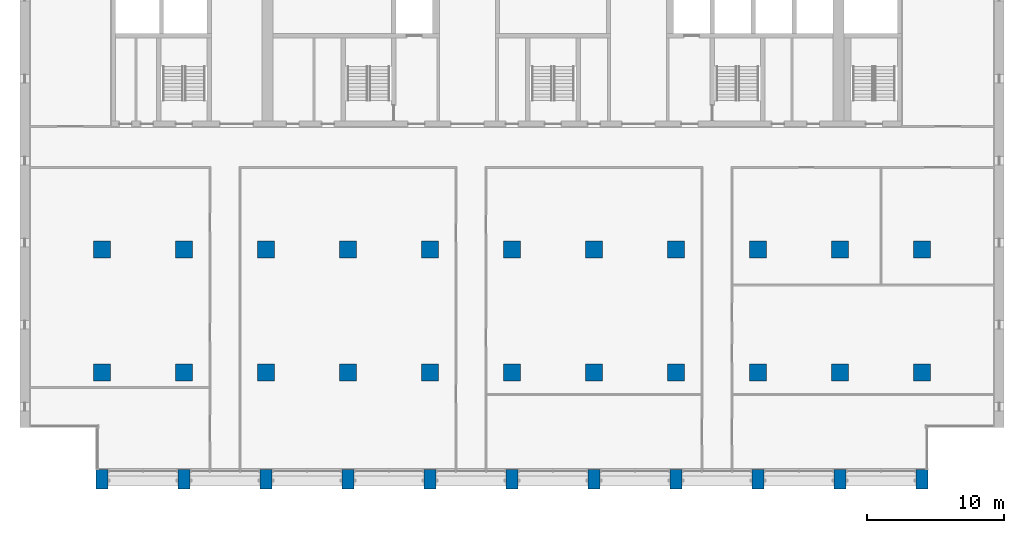
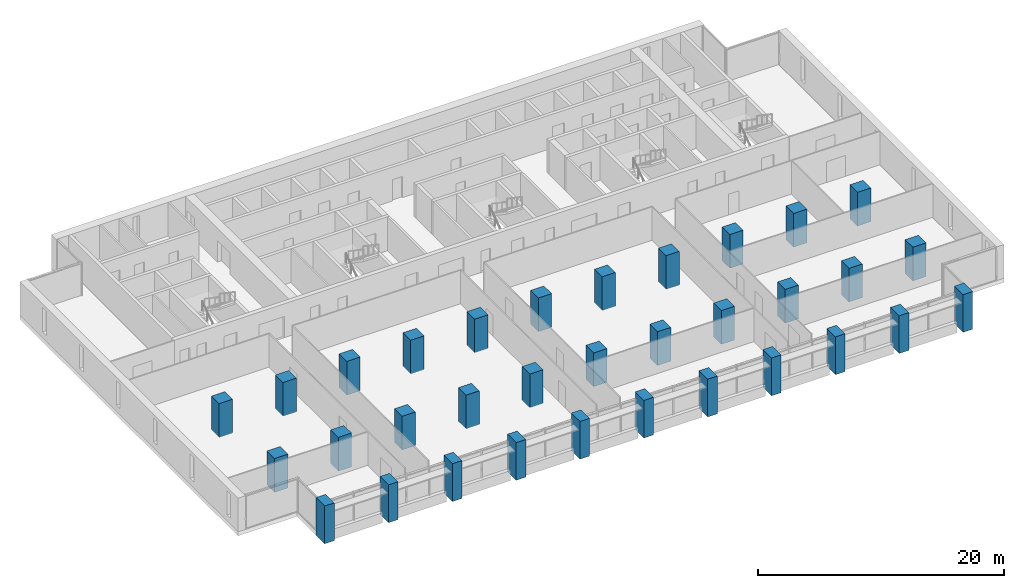
# One storey, part 1 of 16: 33 columns.
"""IFC4 building model written with IfcOpenShell, lengths in metres."""

from ifc_helpers import new_model, si_unit, direction, frame, origin, origin_2d, place, context, subcontext, project, spatial, rectangle, extrude, material, material_profile, profile_set, type_object, element, save


model = new_model("IFC4")

# Units and contexts
model_context = context("Model", 3, precision=1e-05, world=origin(), true_north=direction((0.0, 1.0)))
body_context = subcontext(model_context, "Body", "Model", "MODEL_VIEW")
ifc_project = project(units=[si_unit("LENGTHUNIT", "METRE"), si_unit("AREAUNIT", "SQUARE_METRE"), si_unit("VOLUMEUNIT", "CUBIC_METRE"), si_unit("PLANEANGLEUNIT", "RADIAN"), si_unit("MASSUNIT", "GRAM", prefix="KILO")], contexts=[model_context])

# Site, building, storey
site_placement = place(None, origin())
site = spatial("IfcSite", under=ifc_project, at=site_placement, CompositionType="ELEMENT")
building_placement = place(site_placement, origin())
building = spatial("IfcBuilding", under=site, at=building_placement, Name="Calvaro Tower", CompositionType="ELEMENT")
storey_placement = place(building_placement, frame((0.0, 0.0, 136.25)))
storey = spatial("IfcBuildingStorey", under=building, at=storey_placement, Name="L34", CompositionType="ELEMENT", Elevation=136.25)

# Columns
ifc_material_1 = material(Name="Concrete C60/75", Category="concrete")
ifc_material_profile_1 = material_profile(ifc_material_1, rectangle(XDim=1.25, YDim=1.25, at=origin_2d()), Name="RC 1250x1250")
ifc_profile_set_1 = profile_set([ifc_material_profile_1], Name="Concrete C60/75")
column_type_1 = type_object("IfcColumnType", Name="Column 1250x1250 C60/75", PredefinedType="COLUMN", material=ifc_profile_set_1)
for number, where, z_axis, x_axis, name in (
    (1, (6.0, 10.0, 0.0), (0.0, 0.0, 1.0), (1.0, 0.0, 0.0), "Column 2B"),
    (2, (6.0, 19.0, 0.0), (0.0, 0.0, 1.0), (1.0, 0.0, 0.0), "Column 2C"),
    (3, (12.0, 10.0, 0.0), (0.0, 0.0, 1.0), (1.0, 0.0, 0.0), "Column 3B"),
    (4, (12.0, 19.0, 0.0), (0.0, 0.0, 1.0), (1.0, 0.0, 0.0), "Column 3C"),
    (5, (18.0, 10.0, 0.0), (0.0, 0.0, 1.0), (1.0, 0.0, 0.0), "Column 4B"),
    (6, (18.0, 19.0, 0.0), (0.0, 0.0, 1.0), (1.0, 0.0, 0.0), "Column 4C"),
    (7, (24.0, 10.0, 0.0), (0.0, 0.0, 1.0), (1.0, 0.0, 0.0), "Column 5B"),
    (8, (24.0, 19.0, 0.0), (0.0, 0.0, 1.0), (1.0, 0.0, 0.0), "Column 5C"),
    (9, (30.0, 10.0, 0.0), (0.0, 0.0, 1.0), (1.0, 0.0, 0.0), "Column 6B"),
    (10, (30.0, 19.0, 0.0), (0.0, 0.0, 1.0), (1.0, 0.0, 0.0), "Column 6C"),
    (11, (36.0, 10.0, 0.0), (0.0, 0.0, 1.0), (1.0, 0.0, 0.0), "Column 7B"),
    (12, (36.0, 19.0, 0.0), (0.0, 0.0, 1.0), (1.0, 0.0, 0.0), "Column 7C"),
    (13, (42.0, 10.0, 0.0), (0.0, 0.0, 1.0), (1.0, 0.0, 0.0), "Column 8B"),
    (14, (42.0, 19.0, 0.0), (0.0, 0.0, 1.0), (1.0, 0.0, 0.0), "Column 8C"),
    (15, (48.0, 10.0, 0.0), (0.0, 0.0, 1.0), (1.0, 0.0, 0.0), "Column 9B"),
    (16, (48.0, 19.0, 0.0), (0.0, 0.0, 1.0), (1.0, 0.0, 0.0), "Column 9C"),
    (17, (54.0, 10.0, 0.0), (0.0, 0.0, 1.0), (1.0, 0.0, 0.0), "Column 10B"),
    (18, (54.0, 19.0, 0.0), (0.0, 0.0, 1.0), (1.0, 0.0, 0.0), "Column 10C"),
    (19, (60.0, 10.0, 0.0), (0.0, 0.0, 1.0), (1.0, 0.0, 0.0), "Column 11B"),
    (20, (60.0, 19.0, 0.0), (0.0, 0.0, 1.0), (1.0, 0.0, 0.0), "Column 11C"),
    (21, (66.0, 10.0, 0.0), (0.0, 0.0, 1.0), (1.0, 0.0, 0.0), "Column 12B"),
    (22, (66.0, 19.0, 0.0), (0.0, 0.0, 1.0), (1.0, 0.0, 0.0), "Column 12C"),
):
    element("IfcColumn", number, at=place(storey_placement, frame(where, z_axis=z_axis, x_axis=x_axis)), inside=storey, type_object=column_type_1, Name=name, PredefinedType="COLUMN", context=body_context, shape_type="SweptSolid", body=[
        extrude(rectangle(XDim=1.25, YDim=1.25, at=origin_2d()), origin(), (0.0, 0.0, 1.0), 3.35009765625),
    ])
ifc_material_2 = material(Name="Concrete C60/75", Category="concrete")
ifc_material_profile_2 = material_profile(ifc_material_2, rectangle(XDim=0.89990234375, YDim=1.39990234375, at=origin_2d()), Name="RC 900x1400")
ifc_profile_set_2 = profile_set([ifc_material_profile_2], Name="Concrete C60/75")
column_type_2 = type_object("IfcColumnType", Name="Pier 900x1400 C60/75", PredefinedType="COLUMN", material=ifc_profile_set_2)
for number, where, z_axis, x_axis, name in (
    (23, (6.0, 2.199951171875, -0.39990234375), (0.0, 0.0, 1.0), (1.0, 0.0, 0.0), "South pier 2"),
    (24, (12.0, 2.199951171875, -0.39990234375), (0.0, 0.0, 1.0), (1.0, 0.0, 0.0), "South pier 3"),
    (25, (18.0, 2.199951171875, -0.39990234375), (0.0, 0.0, 1.0), (1.0, 0.0, 0.0), "South pier 4"),
    (26, (24.0, 2.199951171875, -0.39990234375), (0.0, 0.0, 1.0), (1.0, 0.0, 0.0), "South pier 5"),
    (27, (30.0, 2.199951171875, -0.39990234375), (0.0, 0.0, 1.0), (1.0, 0.0, 0.0), "South pier 6"),
    (28, (36.0, 2.199951171875, -0.39990234375), (0.0, 0.0, 1.0), (1.0, 0.0, 0.0), "South pier 7"),
    (29, (42.0, 2.199951171875, -0.39990234375), (0.0, 0.0, 1.0), (1.0, 0.0, 0.0), "South pier 8"),
    (30, (48.0, 2.199951171875, -0.39990234375), (0.0, 0.0, 1.0), (1.0, 0.0, 0.0), "South pier 9"),
    (31, (54.0, 2.199951171875, -0.39990234375), (0.0, 0.0, 1.0), (1.0, 0.0, 0.0), "South pier 10"),
    (32, (60.0, 2.199951171875, -0.39990234375), (0.0, 0.0, 1.0), (1.0, 0.0, 0.0), "South pier 11"),
    (33, (66.0, 2.199951171875, -0.39990234375), (0.0, 0.0, 1.0), (1.0, 0.0, 0.0), "South pier 12"),
):
    element("IfcColumn", number, at=place(storey_placement, frame(where, z_axis=z_axis, x_axis=x_axis)), inside=storey, type_object=column_type_2, Name=name, PredefinedType="COLUMN", context=body_context, shape_type="SweptSolid", body=[
        extrude(rectangle(XDim=0.89990234375, YDim=1.39990234375, at=origin_2d()), origin(), (0.0, 0.0, 1.0), 3.75),
    ])

save(model, "model.ifc")
